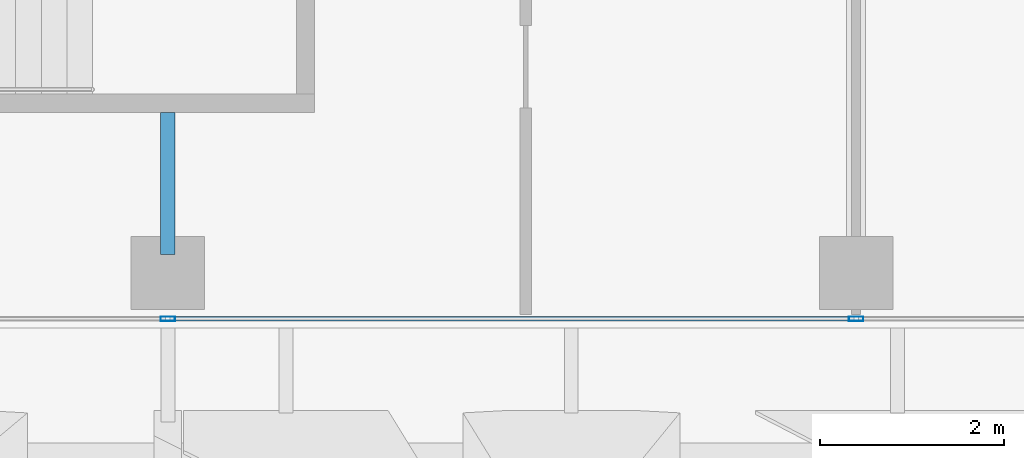
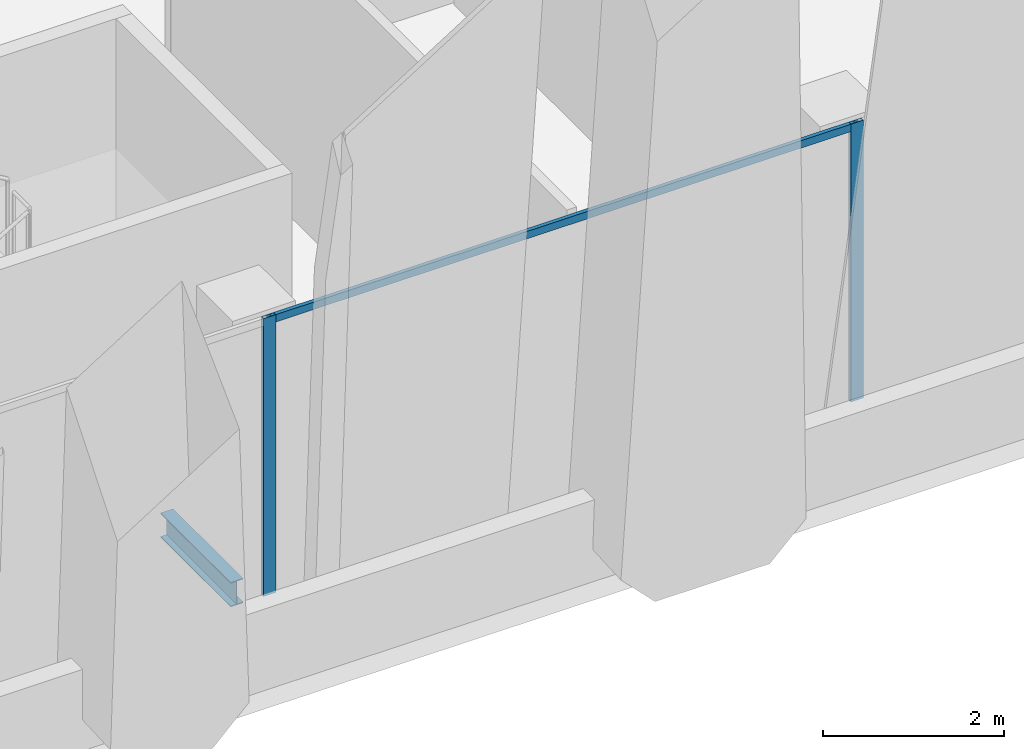
# One storey, part 5 of 32: 3 members, 1 beam, 1 element without a shape of its own.
"""IFC4 building model written with IfcOpenShell, lengths in metres."""

from ifc_helpers import new_model, si_unit, direction, frame, origin, origin_2d, place, context, subcontext, project, spatial, hollow_rectangle, i_section, extrude, source, transform, mapped, material, material_profile, profile_set, type_object, element, aggregate, save


model = new_model("IFC4")

# Units and contexts
model_context = context("Model", 3, precision=1e-05, world=origin(), true_north=direction((0.0, 1.0)))
body_context = subcontext(model_context, "Body", "Model", "MODEL_VIEW")
ifc_project = project(units=[si_unit("LENGTHUNIT", "METRE"), si_unit("AREAUNIT", "SQUARE_METRE"), si_unit("VOLUMEUNIT", "CUBIC_METRE"), si_unit("PLANEANGLEUNIT", "RADIAN"), si_unit("MASSUNIT", "GRAM", prefix="KILO")], contexts=[model_context])

# Site, building, storey
site_placement = place(None, origin())
site = spatial("IfcSite", under=ifc_project, at=site_placement, CompositionType="ELEMENT")
building_placement = place(site_placement, origin())
building = spatial("IfcBuilding", under=site, at=building_placement, Name="Khomas Fold Tower", CompositionType="ELEMENT")
storey_placement = place(building_placement, frame((0.0, 0.0, 282.199951171875)))
storey = spatial("IfcBuildingStorey", under=building, at=storey_placement, Name="L63", CompositionType="ELEMENT", Elevation=282.199951171875)

# Beam
ifc_material_1 = material(Name="Steel S355", Category="steel")
ifc_material_profile_1 = material_profile(ifc_material_1, i_section(OverallWidth=0.159912109375, OverallDepth=0.330078125, WebThickness=0.007568359375, FlangeThickness=0.011474609375, at=origin_2d()), Name="IPE 330")
ifc_profile_set_1 = profile_set([ifc_material_profile_1], Name="Steel S355")
beam_type = type_object("IfcBeamType", Name="IPE 330 beam JB1", PredefinedType="BEAM", material=ifc_profile_set_1)
shared_shape_1 = source(origin(), body_context, "Body", "SweptSolid", [
    extrude(i_section(OverallWidth=0.159912109375, OverallDepth=0.330078125, WebThickness=0.007568359375, FlangeThickness=0.011474609375, at=origin_2d()), origin(), (0.0, 0.0, 1.0), 1.550048828125),
])
beam_placement = place(storey_placement, frame((19.5, 6.800048828125, -0.4150390625), z_axis=(0.0, 1.0, 0.0), x_axis=(-1.0, 0.0, 0.0)))
element("IfcBeam", 1, at=beam_placement, inside=storey, type_object=beam_type, Name="JB1", PredefinedType="BEAM", context=body_context, shape_type="MappedRepresentation", body=[
    mapped(shared_shape_1, transform((0.0, 0.0, 0.0))),
])

# Curtain wall, members
ifc_material_2 = material(Name="Aluminium framed double glazing", Category="aluminium")
curtain_wall_type = type_object("IfcCurtainWallType", Name="SK-Unitised clear-glass wall, upper floors CW3", PredefinedType="NOTDEFINED", material=ifc_material_2)
curtain_wall_placement = place(storey_placement, origin())
curtain_wall = element("IfcCurtainWall", 2, at=curtain_wall_placement, inside=storey, type_object=curtain_wall_type, Name="CW3 run L63 00-0", PredefinedType="NOTDEFINED")
ifc_material_3 = material(Name="Aluminium", Category="aluminium")
ifc_material_profile_2 = material_profile(ifc_material_3, hollow_rectangle(XDim=0.050048828125, YDim=0.159912109375, WallThickness=0.00390625, at=origin_2d()), Name="SK-Unitised clear-glass wall, upper floors mullion CW3-M")
ifc_profile_set_2 = profile_set([ifc_material_profile_2], Name="Aluminium")
member_type_1 = type_object("IfcMemberType", Name="SK-Unitised clear-glass wall, upper floors mullion CW3-M", PredefinedType="MULLION", material=ifc_profile_set_2)
shared_shape_2 = source(origin(), body_context, "Body", "SweptSolid", [
    extrude(hollow_rectangle(XDim=0.050048828125, YDim=0.159912109375, WallThickness=0.00390625, at=origin_2d()), origin(), (0.0, 0.0, 1.0), 3.75),
])
member_1_placement = place(storey_placement, frame((19.5, 6.10009765625, 0.0), z_axis=(0.0, 0.0, 1.0), x_axis=(0.0, 1.0, 0.0)))
member_1 = element("IfcMember", 3, at=member_1_placement, type_object=member_type_1, Name="CW3 mullion 3", PredefinedType="MULLION", context=body_context, shape_type="MappedRepresentation", body=[
    mapped(shared_shape_2, transform((0.0, 0.0, 0.0))),
])
member_2_placement = place(storey_placement, frame((27.0, 6.10009765625, 0.0), z_axis=(0.0, 0.0, 1.0), x_axis=(0.0, 1.0, 0.0)))
member_2 = element("IfcMember", 4, at=member_2_placement, type_object=member_type_1, Name="CW3 mullion 4", PredefinedType="MULLION", context=body_context, shape_type="MappedRepresentation", body=[
    mapped(shared_shape_2, transform((0.0, 0.0, 0.0))),
])
ifc_material_4 = material(Name="Aluminium", Category="aluminium")
ifc_material_profile_3 = material_profile(ifc_material_4, hollow_rectangle(XDim=0.050048828125, YDim=0.10009765625, WallThickness=0.00390625, at=origin_2d()), Name="SK-Unitised clear-glass wall, upper floors transom CW3-T")
ifc_profile_set_3 = profile_set([ifc_material_profile_3], Name="Aluminium")
member_type_2 = type_object("IfcMemberType", Name="SK-Unitised clear-glass wall, upper floors transom CW3-T", PredefinedType="USERDEFINED", material=ifc_profile_set_3)
shared_shape_3 = source(origin(), body_context, "Body", "SweptSolid", [
    extrude(hollow_rectangle(XDim=0.050048828125, YDim=0.10009765625, WallThickness=0.00390625, at=origin_2d()), origin(), (0.0, 0.0, 1.0), 7.4501953125),
])
member_3_placement = place(storey_placement, frame((19.52490234375, 6.10009765625, 3.699951171875), z_axis=(1.0, 0.0, 0.0), x_axis=(0.0, 1.0, 0.0)))
member_3 = element("IfcMember", 5, at=member_3_placement, type_object=member_type_2, Name="CW3 transom 3", ObjectType="TRANSOM", PredefinedType="USERDEFINED", context=body_context, shape_type="MappedRepresentation", body=[
    mapped(shared_shape_3, transform((0.0, 0.0, 0.0))),
])
aggregate(curtain_wall, [member_1, member_2, member_3])

save(model, "model.ifc")
